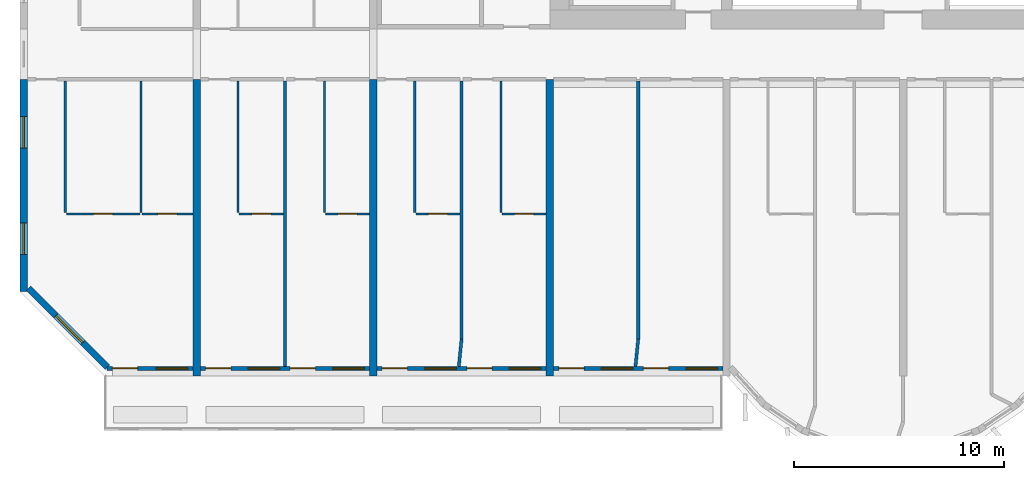
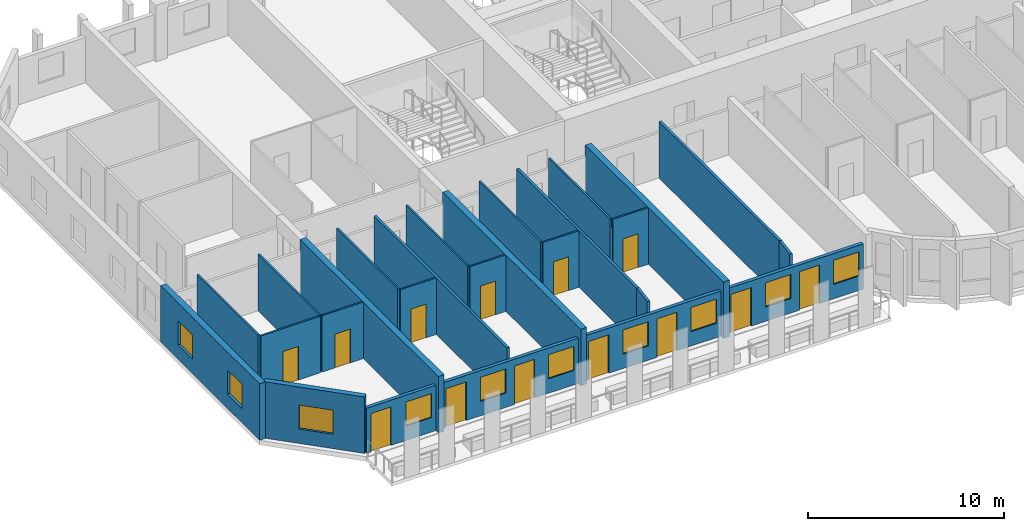
# One storey, part 2 of 14: 26 walls, 13 doors, 10 windows, 23 openings.
"""IFC4 building model written with IfcOpenShell, lengths in metres."""

import ifcopenshell
import ifcopenshell.guid

model = None  # the IFC model being written
_history = None  # IfcOwnerHistory: only IFC2X3 demands one
_inside = {}  # id of a spatial element -> (the spatial element, [elements in it])
_under = {}  # id of a project, library or spatial element -> (it, [spatial elements below it])
_declared = {}  # id of a project -> (the project, [libraries it declares])
_typed = {}  # id of a type object -> (the type object, [elements of that type])
_made_of = {}  # id of a material, layer set ... -> (it, [elements and type objects made of it])


def new_model(schema):
    """Start an empty IFC model of exactly this schema.

    Asked for "IFC4X3", IfcOpenShell would pick the latest addendum, in which some entities
    have other attributes; the version numbers below select the first issue.
    IFC2X3 requires an IfcOwnerHistory on every rooted entity: one is made here for all.
    """
    global model, _history
    if schema == "IFC4X3":
        model = ifcopenshell.file(schema_version=(4, 3, 0, 0))
    else:
        model = ifcopenshell.file(schema=schema)
    _inside.clear()
    _under.clear()
    _declared.clear()
    _typed.clear()
    _made_of.clear()
    _history = None
    if model.schema == "IFC2X3":
        org = make("IfcOrganization", Name="unknown")
        user = make(
            "IfcPersonAndOrganization",
            ThePerson=make("IfcPerson", FamilyName="unknown"),
            TheOrganization=org,
        )
        app = make(
            "IfcApplication",
            ApplicationDeveloper=org,
            Version="unknown",
            ApplicationFullName="unknown",
            ApplicationIdentifier="unknown",
        )
        _history = make(
            "IfcOwnerHistory",
            OwningUser=user,
            OwningApplication=app,
            ChangeAction="ADDED",
            CreationDate=0,
        )
    return model


def make(cls, **values):
    """One entity of the class cls with the attributes given. An attribute that is None is left unset."""
    return model.create_entity(
        cls, **{name: value for name, value in values.items() if value is not None}
    )


def rooted(cls, **values):
    """An entity with a GlobalId (a new one), such as an element, a storey or a relation."""
    return make(cls, GlobalId=ifcopenshell.guid.new(), OwnerHistory=_history, **values)


def si_unit(unit_type, name, prefix=None):
    """IfcSIUnit, for example si_unit("LENGTHUNIT", "METRE", prefix="MILLI")."""
    return make("IfcSIUnit", UnitType=unit_type, Prefix=prefix, Name=name)


def assignment(units):
    """IfcUnitAssignment: the units of a project."""
    return None if units is None else make("IfcUnitAssignment", Units=units)


def point(xyz):
    """IfcCartesianPoint."""
    return None if xyz is None else make("IfcCartesianPoint", Coordinates=xyz)


def direction(xyz):
    """IfcDirection."""
    return None if xyz is None else make("IfcDirection", DirectionRatios=xyz)


def frame(location, z_axis=None, x_axis=None):
    """IfcAxis2Placement3D, a coordinate frame: its origin and axes. An axis left out is left unset."""
    return make(
        "IfcAxis2Placement3D",
        Location=point(location),
        Axis=direction(z_axis),
        RefDirection=direction(x_axis),
    )


def frame_2d(location, x_axis=None):
    """IfcAxis2Placement2D, a coordinate frame in the plane: its origin and x axis."""
    return make(
        "IfcAxis2Placement2D", Location=point(location), RefDirection=direction(x_axis)
    )


def origin():
    """The frame at (0, 0, 0) with its axes left unset."""
    return frame((0.0, 0.0, 0.0))


def place(relative_to, where):
    """IfcLocalPlacement: puts the frame where relative to a parent placement (None: the world)."""
    return make(
        "IfcLocalPlacement", PlacementRelTo=relative_to, RelativePlacement=where
    )


def context(
    kind, dimensions, precision=None, world=None, true_north=None, identifier=None
):
    """IfcGeometricRepresentationContext, for example the 3D "Model" context."""
    return make(
        "IfcGeometricRepresentationContext",
        ContextIdentifier=identifier,
        ContextType=kind,
        CoordinateSpaceDimension=dimensions,
        Precision=precision,
        WorldCoordinateSystem=world,
        TrueNorth=true_north,
    )


def subcontext(parent, identifier, kind, view, scale=None):
    """IfcGeometricRepresentationSubContext, for example "Body" below "Model"."""
    return make(
        "IfcGeometricRepresentationSubContext",
        ContextIdentifier=identifier,
        ContextType=kind,
        ParentContext=parent,
        TargetScale=scale,
        TargetView=view,
    )


def project(units=None, contexts=None):
    """IfcProject with its units and contexts."""
    return rooted(
        "IfcProject",
        Name="project",
        RepresentationContexts=contexts,
        UnitsInContext=assignment(units),
    )


def spatial(cls, under=None, at=None, **own):
    """A site, building, storey or space (cls), placed at a placement, below another one or the project."""
    s = rooted(cls, ObjectPlacement=at, **own)
    if under is not None:
        _under.setdefault(under.id(), (under, []))[1].append(s)
    return s


def profile(cls, at=None, kind="AREA", **sizes):
    """A parametric profile (cls). Its sizes go by their IFC names, for example OverallWidth=200.0."""
    return make(cls, ProfileType=kind, Position=at, **sizes)


def rectangle(**sizes):
    """IfcRectangleProfileDef."""
    return profile("IfcRectangleProfileDef", **sizes)


def extrude(swept, where, along, depth):
    """IfcExtrudedAreaSolid: the profile swept, set in the frame where, extruded along a direction by depth."""
    return make(
        "IfcExtrudedAreaSolid",
        SweptArea=swept,
        Position=where,
        ExtrudedDirection=direction(along),
        Depth=depth,
    )


def shape(context_of_items, identifier, shape_type, items):
    """IfcShapeRepresentation: the items that make up one representation, for example the "Body"."""
    return make(
        "IfcShapeRepresentation",
        ContextOfItems=context_of_items,
        RepresentationIdentifier=identifier,
        RepresentationType=shape_type,
        Items=items,
    )


def source(mapping_origin, context_of_items, identifier, shape_type, items):
    """IfcRepresentationMap: a shape defined once, which mapped items show again and again."""
    return make(
        "IfcRepresentationMap",
        MappingOrigin=mapping_origin,
        MappedRepresentation=shape(context_of_items, identifier, shape_type, items),
    )


def transform(
    local_origin,
    x_axis=None,
    y_axis=None,
    z_axis=None,
    scale=None,
    scale2=None,
    scale3=None,
    uniform=True,
):
    """IfcCartesianTransformationOperator3D, or its non-uniform kind. x_axis, y_axis, z_axis: its Axis1, 2, 3."""
    if uniform:
        return make(
            "IfcCartesianTransformationOperator3D",
            Axis1=direction(x_axis),
            Axis2=direction(y_axis),
            LocalOrigin=point(local_origin),
            Scale=scale,
            Axis3=direction(z_axis),
        )
    return make(
        "IfcCartesianTransformationOperator3DnonUniform",
        Axis1=direction(x_axis),
        Axis2=direction(y_axis),
        LocalOrigin=point(local_origin),
        Scale=scale,
        Axis3=direction(z_axis),
        Scale2=scale2,
        Scale3=scale3,
    )


def mapped(mapping_source, mapping_target):
    """IfcMappedItem: shows the shape of a source again, moved by a transform."""
    return make(
        "IfcMappedItem", MappingSource=mapping_source, MappingTarget=mapping_target
    )


def material(Name=None, Category=None):
    """IfcMaterial."""
    return make("IfcMaterial", Name=Name, Category=Category)


def layer(
    of_material, thickness, ventilated=None, Name=None, Category=None, Priority=None
):
    """IfcMaterialLayer: one layer of a wall or slab, of a material (None: an air gap)."""
    return make(
        "IfcMaterialLayer",
        Material=of_material,
        LayerThickness=thickness,
        IsVentilated=ventilated,
        Name=Name,
        Category=Category,
        Priority=Priority,
    )


def layer_set(layers, Name=None):
    """IfcMaterialLayerSet."""
    return make("IfcMaterialLayerSet", MaterialLayers=layers, LayerSetName=Name)


def made_of(thing, what):
    """Note that an element or type object is made of a material, layer set ...; save() writes the relation."""
    if what is not None:
        _made_of.setdefault(what.id(), (what, []))[1].append(thing)
    return thing


def type_object(cls, material=None, **own):
    """A type object (cls), such as IfcWallType, which elements share."""
    return made_of(rooted(cls, **own), material)


def element(
    cls,
    number,
    at=None,
    inside=None,
    cuts=None,
    type_object=None,
    material=None,
    context=None,
    identifier="Body",
    shape_type=None,
    held_by="IfcProductDefinitionShape",
    body=None,
    shapes=None,
    **own,
):
    """One element of the class cls, such as IfcWall. Its Tag is "e" and its number.

    at: its placement. inside: the storey or other place that contains it. cuts: it is an
    opening in that element (IfcRelVoidsElement). A single representation is given by context,
    identifier, shape_type and body (its items); several are given by shapes. held_by: the class
    of the entity that holds the representations. save() writes the other relations.
    """
    e = rooted(cls, Tag="e%d" % number, ObjectPlacement=at, **own)
    if body is not None:
        shapes = [shape(context, identifier, shape_type, body)]
    if shapes is not None:
        e.Representation = make(held_by, Representations=shapes)
    if inside is not None:
        _inside.setdefault(inside.id(), (inside, []))[1].append(e)
    if cuts is not None:
        rooted(
            "IfcRelVoidsElement", RelatingBuildingElement=cuts, RelatedOpeningElement=e
        )
    if type_object is not None:
        _typed.setdefault(type_object.id(), (type_object, []))[1].append(e)
    return made_of(e, material)


def fill(opening, filler):
    """IfcRelFillsElement: the door or window that sits in an opening."""
    return rooted(
        "IfcRelFillsElement",
        RelatingOpeningElement=opening,
        RelatedBuildingElement=filler,
    )


def aggregate(whole, parts):
    """IfcRelAggregates: a whole, such as a stair, and the parts it consists of."""
    return rooted("IfcRelAggregates", RelatingObject=whole, RelatedObjects=parts)


def save(model, path):
    """Write the relations noted so far, then the file.

    IfcRelAggregates (storeys below a building ...), IfcRelContainedInSpatialStructure (elements
    in a storey), IfcRelDefinesByType, IfcRelAssociatesMaterial and IfcRelDeclares: one each for
    every whole, place, type object, material and project.
    """
    for whole, parts in _under.values():
        aggregate(whole, parts)
    for where, things in _inside.values():
        rooted(
            "IfcRelContainedInSpatialStructure",
            RelatedElements=things,
            RelatingStructure=where,
        )
    for kind, things in _typed.values():
        rooted("IfcRelDefinesByType", RelatedObjects=things, RelatingType=kind)
    for what, things in _made_of.values():
        rooted("IfcRelAssociatesMaterial", RelatedObjects=things, RelatingMaterial=what)
    for by, libraries in _declared.values():
        rooted("IfcRelDeclares", RelatingContext=by, RelatedDefinitions=libraries)
    model.write(path)


model = new_model("IFC4")

# Units and contexts
model_context = context("Model", 3, precision=1e-05, world=origin(), true_north=direction((0.0, 1.0)))
body_context = subcontext(model_context, "Body", "Model", "MODEL_VIEW")
ifc_project = project(units=[si_unit("LENGTHUNIT", "METRE"), si_unit("AREAUNIT", "SQUARE_METRE"), si_unit("VOLUMEUNIT", "CUBIC_METRE"), si_unit("PLANEANGLEUNIT", "RADIAN"), si_unit("MASSUNIT", "GRAM", prefix="KILO")], contexts=[model_context])

# Site, building, storey
site_placement = place(None, origin())
site = spatial("IfcSite", under=ifc_project, at=site_placement, CompositionType="ELEMENT")
building_placement = place(site_placement, origin())
building = spatial("IfcBuilding", under=site, at=building_placement, Name="Vanashikhar Sky Hotel", CompositionType="ELEMENT")
storey_placement = place(building_placement, frame((0.0, 0.0, 125.60009765625)))
storey = spatial("IfcBuildingStorey", under=building, at=storey_placement, Name="L30", CompositionType="ELEMENT", Elevation=125.60009765625)

# Wall, openings, windows
ifc_material_1 = material(Name="Concrete M70", Category="concrete")
ifc_layer_1 = layer(ifc_material_1, 0.35009765625)
ifc_layer_set_1 = layer_set([ifc_layer_1], Name="RC shear wall 350 Concrete M70")
wall_type_1 = type_object("IfcWallType", Name="RC shear wall 350 Concrete M70", PredefinedType="SHEAR", material=ifc_layer_set_1)
shared_shape_1 = source(origin(), body_context, "Body", "SweptSolid", [
    extrude(rectangle(XDim=10.10009765625, YDim=0.35009765625, at=frame_2d((5.050048828125, 0.0))), origin(), (0.0, 0.0, 1.0), 3.52001953125),
])
wall_1_placement = place(storey_placement, frame((0.175048828125, 9.5, 0.0), z_axis=(0.0, 0.0, 1.0), x_axis=(0.0, 1.0, 0.0)))
wall_1 = element("IfcWall", 1, at=wall_1_placement, inside=storey, type_object=wall_type_1, Name="CW-L30-XW01-1", PredefinedType="SHEAR", context=body_context, shape_type="MappedRepresentation", body=[
    mapped(shared_shape_1, transform((0.0, 0.0, 0.0), scale=1.0)),
])
shared_shape_2 = source(origin(), body_context, "Body", "SweptSolid", [
    extrude(rectangle(XDim=1.5, YDim=1.5, at=frame_2d((0.75, 0.75))), frame((0.0, 0.18505859375, 0.0), z_axis=(0.0, -1.0, 0.0), x_axis=(1.0, 0.0, 0.0)), (0.0, 0.0, 1.0), 0.3701171875),
])
opening_1_placement = place(wall_1_placement, frame((1.77490234375, 0.0, 0.89990234375)))
opening_1 = element("IfcOpeningElement", 2, at=opening_1_placement, cuts=wall_1, Name="Opening WN-1", PredefinedType="OPENING", context=body_context, shape_type="MappedRepresentation", body=[
    mapped(shared_shape_2, transform((0.0, 0.0, 0.0), scale=1.0)),
])
opening_2_placement = place(wall_1_placement, frame((6.824951171875, 0.0, 0.89990234375)))
opening_2 = element("IfcOpeningElement", 3, at=opening_2_placement, cuts=wall_1, Name="Opening WN-1", PredefinedType="OPENING", context=body_context, shape_type="MappedRepresentation", body=[
    mapped(shared_shape_2, transform((0.0, 0.0, 0.0), scale=1.0)),
])
ifc_material_2 = material(Name="Glass", Category="glass")
window_type_1 = type_object("IfcWindowType", Name="Window 1500 x 1500", PartitioningType="SINGLE_PANEL", PredefinedType="WINDOW", material=ifc_material_2)
shared_shape_3 = source(origin(), body_context, "Body", "SweptSolid", [
    extrude(rectangle(XDim=1.5, YDim=1.5, at=frame_2d((0.75, 0.75))), frame((0.0, 0.030029296875, 0.0), z_axis=(0.0, -1.0, 0.0), x_axis=(1.0, 0.0, 0.0)), (0.0, 0.0, 1.0), 0.06005859375),
])
window_1_placement = place(opening_1_placement, origin())
window_1 = element("IfcWindow", 4, at=window_1_placement, inside=storey, type_object=window_type_1, Name="Window WN-1", OverallHeight=1.5, OverallWidth=1.5, PartitioningType="SINGLE_PANEL", PredefinedType="WINDOW", context=body_context, shape_type="MappedRepresentation", body=[
    mapped(shared_shape_3, transform((0.0, 0.0, 0.0), scale=1.0)),
])
fill(opening_1, window_1)
window_2_placement = place(opening_2_placement, origin())
window_2 = element("IfcWindow", 5, at=window_2_placement, inside=storey, type_object=window_type_1, Name="Window WN-1", OverallHeight=1.5, OverallWidth=1.5, PartitioningType="SINGLE_PANEL", PredefinedType="WINDOW", context=body_context, shape_type="MappedRepresentation", body=[
    mapped(shared_shape_3, transform((0.0, 0.0, 0.0), scale=1.0)),
])
fill(opening_2, window_2)

# Walls
shared_shape_4 = source(origin(), body_context, "Body", "SweptSolid", [
    extrude(rectangle(XDim=14.10009765625, YDim=0.35009765625, at=frame_2d((7.050048828125, 0.0))), origin(), (0.0, 0.0, 1.0), 3.52001953125),
])
for number, where, z_axis, x_axis, name in (
    (6, (8.39990234375, 5.5, 0.0), (0.0, 0.0, 1.0), (0.0, 1.0, 0.0), "CW-L30-XW02-1"),
    (7, (16.800048828125, 5.5, 0.0), (0.0, 0.0, 1.0), (0.0, 1.0, 0.0), "CW-L30-XW03-1"),
    (8, (25.199951171875, 5.5, 0.0), (0.0, 0.0, 1.0), (0.0, 1.0, 0.0), "CW-L30-XW04-1"),
):
    element("IfcWall", number, at=place(storey_placement, frame(where, z_axis=z_axis, x_axis=x_axis)), inside=storey, type_object=wall_type_1, Name=name, PredefinedType="SHEAR", context=body_context, shape_type="MappedRepresentation", body=[
        mapped(shared_shape_4, transform((0.0, 0.0, 0.0), scale=1.0)),
    ])

# Wall, opening, window
ifc_material_3 = material(Name="Concrete M50", Category="concrete")
ifc_layer_2 = layer(ifc_material_3, 0.300048828125)
ifc_layer_set_2 = layer_set([ifc_layer_2], Name="Lobe wall 300")
wall_type_2 = type_object("IfcWallType", Name="Lobe wall 300", PredefinedType="SOLIDWALL", material=ifc_layer_set_2)
shared_shape_5 = source(origin(), body_context, "Body", "SweptSolid", [
    extrude(rectangle(XDim=5.32568359375, YDim=0.300048828125, at=frame_2d((2.662841796875, 0.0))), origin(), (0.0, 0.0, 1.0), 3.52001953125),
])
wall_2_placement = place(storey_placement, frame((0.39990234375, 9.665771484375, 0.0), z_axis=(0.0, 0.0, 1.0), x_axis=(0.707106781187, -0.707106781187, 0.0)))
wall_2 = element("IfcWall", 9, at=wall_2_placement, inside=storey, type_object=wall_type_2, Name="Corner wall", PredefinedType="SOLIDWALL", context=body_context, shape_type="MappedRepresentation", body=[
    mapped(shared_shape_5, transform((0.0, 0.0, 0.0), scale=1.0)),
])
shared_shape_6 = source(origin(), body_context, "Body", "SweptSolid", [
    extrude(rectangle(XDim=1.800048828125, YDim=1.5, at=frame_2d((0.89990234375, 0.75))), frame((0.0, 0.16015625, 0.0), z_axis=(0.0, -1.0, 0.0), x_axis=(1.0, 0.0, 0.0)), (0.0, 0.0, 1.0), 0.320068359375),
])
opening_3_placement = place(wall_2_placement, frame((1.853759765625, 0.0, 0.89990234375)))
opening_3 = element("IfcOpeningElement", 10, at=opening_3_placement, cuts=wall_2, Name="Opening WN-4", PredefinedType="OPENING", context=body_context, shape_type="MappedRepresentation", body=[
    mapped(shared_shape_6, transform((0.0, 0.0, 0.0), scale=1.0)),
])
window_type_2 = type_object("IfcWindowType", Name="Corner window 1800 x 1500", PartitioningType="SINGLE_PANEL", PredefinedType="WINDOW", material=ifc_material_2)
shared_shape_7 = source(origin(), body_context, "Body", "SweptSolid", [
    extrude(rectangle(XDim=1.800048828125, YDim=1.5, at=frame_2d((0.89990234375, 0.75))), frame((0.0, 0.030029296875, 0.0), z_axis=(0.0, -1.0, 0.0), x_axis=(1.0, 0.0, 0.0)), (0.0, 0.0, 1.0), 0.06005859375),
])
window_3_placement = place(opening_3_placement, origin())
window_3 = element("IfcWindow", 11, at=window_3_placement, inside=storey, type_object=window_type_2, Name="Window WN-4", OverallHeight=1.5, OverallWidth=1.800048828125, PartitioningType="SINGLE_PANEL", PredefinedType="WINDOW", context=body_context, shape_type="MappedRepresentation", body=[
    mapped(shared_shape_7, transform((0.0, 0.0, 0.0), scale=1.0)),
])
fill(opening_3, window_3)

# Wall, openings, window, door
ifc_layer_3 = layer(ifc_material_3, 0.199951171875)
ifc_layer_set_3 = layer_set([ifc_layer_3], Name="Front window wall 200")
wall_type_3 = type_object("IfcWallType", Name="Front window wall 200", PredefinedType="SOLIDWALL", material=ifc_layer_set_3)
shared_shape_8 = source(origin(), body_context, "Body", "SweptSolid", [
    extrude(rectangle(XDim=4.080078125, YDim=0.199951171875, at=frame_2d((2.0400390625, 0.0))), origin(), (0.0, 0.0, 1.0), 2.81982421875),
])
wall_3_placement = place(storey_placement, frame((4.14501953125, 5.85009765625, 0.0), z_axis=(0.0, 0.0, 1.0), x_axis=(1.0, 0.0, 0.0)))
wall_3 = element("IfcWall", 12, at=wall_3_placement, inside=storey, type_object=wall_type_3, Name="Front window wall", PredefinedType="SOLIDWALL", context=body_context, shape_type="MappedRepresentation", body=[
    mapped(shared_shape_8, transform((0.0, 0.0, 0.0), scale=1.0)),
])
shared_shape_9 = source(origin(), body_context, "Body", "SweptSolid", [
    extrude(rectangle(XDim=1.199951171875, YDim=2.39990234375, at=frame_2d((0.60009765625, 1.199951171875))), frame((0.0, 0.10986328125, 0.0), z_axis=(0.0, -1.0, 0.0), x_axis=(1.0, 0.0, 0.0)), (0.0, 0.0, 1.0), 0.219970703125),
])
opening_4_placement = place(wall_3_placement, frame((0.25, 0.0, 0.0)))
opening_4 = element("IfcOpeningElement", 13, at=opening_4_placement, cuts=wall_3, Name="Opening BD-01", PredefinedType="OPENING", context=body_context, shape_type="MappedRepresentation", body=[
    mapped(shared_shape_9, transform((0.0, 0.0, 0.0), scale=1.0)),
])
shared_shape_10 = source(origin(), body_context, "Body", "SweptSolid", [
    extrude(rectangle(XDim=1.5, YDim=1.5, at=frame_2d((0.75, 0.75))), frame((0.0, 0.10986328125, 0.0), z_axis=(0.0, -1.0, 0.0), x_axis=(1.0, 0.0, 0.0)), (0.0, 0.0, 1.0), 0.219970703125),
])
opening_5_placement = place(wall_3_placement, frame((2.330078125, 0.0, 0.89990234375)))
opening_5 = element("IfcOpeningElement", 14, at=opening_5_placement, cuts=wall_3, Name="Opening WN-1", PredefinedType="OPENING", context=body_context, shape_type="MappedRepresentation", body=[
    mapped(shared_shape_10, transform((0.0, 0.0, 0.0), scale=1.0)),
])
window_4_placement = place(opening_5_placement, origin())
window_4 = element("IfcWindow", 15, at=window_4_placement, inside=storey, type_object=window_type_1, Name="Window WN-1", OverallHeight=1.5, OverallWidth=1.5, PartitioningType="SINGLE_PANEL", PredefinedType="WINDOW", context=body_context, shape_type="MappedRepresentation", body=[
    mapped(shared_shape_3, transform((0.0, 0.0, 0.0), scale=1.0)),
])
fill(opening_5, window_4)
ifc_material_4 = material(Name="Aluminium", Category="aluminium")
door_type_1 = type_object("IfcDoorType", Name="Balcony sliding door 1200 x 2400", OperationType="NOTDEFINED", PredefinedType="DOOR", material=ifc_material_4)
shared_shape_11 = source(origin(), body_context, "Body", "SweptSolid", [
    extrude(rectangle(XDim=1.199951171875, YDim=2.39990234375, at=frame_2d((0.60009765625, 1.199951171875))), frame((0.0, 0.02490234375, 0.0), z_axis=(0.0, -1.0, 0.0), x_axis=(1.0, 0.0, 0.0)), (0.0, 0.0, 1.0), 0.050048828125),
])
door_1_placement = place(opening_4_placement, origin())
door_1 = element("IfcDoor", 16, at=door_1_placement, inside=storey, type_object=door_type_1, Name="Balcony sliding door", OperationType="SLIDING_TO_LEFT", OverallHeight=2.39990234375, OverallWidth=1.199951171875, PredefinedType="DOOR", context=body_context, shape_type="MappedRepresentation", body=[
    mapped(shared_shape_11, transform((0.0, 0.0, 0.0), scale=1.0)),
])
fill(opening_4, door_1)

# Wall, openings, windows, doors
shared_shape_12 = source(origin(), body_context, "Body", "SweptSolid", [
    extrude(rectangle(XDim=8.050048828125, YDim=0.199951171875, at=frame_2d((4.02490234375, 0.0))), origin(), (0.0, 0.0, 1.0), 2.81982421875),
])
wall_4_placement = place(storey_placement, frame((8.574951171875, 5.85009765625, 0.0), z_axis=(0.0, 0.0, 1.0), x_axis=(1.0, 0.0, 0.0)))
wall_4 = element("IfcWall", 17, at=wall_4_placement, inside=storey, type_object=wall_type_3, Name="Front window wall", PredefinedType="SOLIDWALL", context=body_context, shape_type="MappedRepresentation", body=[
    mapped(shared_shape_12, transform((0.0, 0.0, 0.0), scale=1.0)),
])
opening_6_placement = place(wall_4_placement, frame((0.25, 0.0, 0.0)))
opening_6 = element("IfcOpeningElement", 18, at=opening_6_placement, cuts=wall_4, Name="Opening BD-02", PredefinedType="OPENING", context=body_context, shape_type="MappedRepresentation", body=[
    mapped(shared_shape_9, transform((0.0, 0.0, 0.0), scale=1.0)),
])
opening_7_placement = place(wall_4_placement, frame((2.27490234375, 0.0, 0.89990234375)))
opening_7 = element("IfcOpeningElement", 19, at=opening_7_placement, cuts=wall_4, Name="Opening WN-1", PredefinedType="OPENING", context=body_context, shape_type="MappedRepresentation", body=[
    mapped(shared_shape_10, transform((0.0, 0.0, 0.0), scale=1.0)),
])
opening_8_placement = place(wall_4_placement, frame((4.27490234375, 0.0, 0.0)))
opening_8 = element("IfcOpeningElement", 20, at=opening_8_placement, cuts=wall_4, Name="Opening BD-03", PredefinedType="OPENING", context=body_context, shape_type="MappedRepresentation", body=[
    mapped(shared_shape_9, transform((0.0, 0.0, 0.0), scale=1.0)),
])
opening_9_placement = place(wall_4_placement, frame((6.300048828125, 0.0, 0.89990234375)))
opening_9 = element("IfcOpeningElement", 21, at=opening_9_placement, cuts=wall_4, Name="Opening WN-1", PredefinedType="OPENING", context=body_context, shape_type="MappedRepresentation", body=[
    mapped(shared_shape_10, transform((0.0, 0.0, 0.0), scale=1.0)),
])
window_5_placement = place(opening_7_placement, origin())
window_5 = element("IfcWindow", 22, at=window_5_placement, inside=storey, type_object=window_type_1, Name="Window WN-1", OverallHeight=1.5, OverallWidth=1.5, PartitioningType="SINGLE_PANEL", PredefinedType="WINDOW", context=body_context, shape_type="MappedRepresentation", body=[
    mapped(shared_shape_3, transform((0.0, 0.0, 0.0), scale=1.0)),
])
fill(opening_7, window_5)
window_6_placement = place(opening_9_placement, origin())
window_6 = element("IfcWindow", 23, at=window_6_placement, inside=storey, type_object=window_type_1, Name="Window WN-1", OverallHeight=1.5, OverallWidth=1.5, PartitioningType="SINGLE_PANEL", PredefinedType="WINDOW", context=body_context, shape_type="MappedRepresentation", body=[
    mapped(shared_shape_3, transform((0.0, 0.0, 0.0), scale=1.0)),
])
fill(opening_9, window_6)
door_2_placement = place(opening_6_placement, origin())
door_2 = element("IfcDoor", 24, at=door_2_placement, inside=storey, type_object=door_type_1, Name="Balcony sliding door", OperationType="SLIDING_TO_RIGHT", OverallHeight=2.39990234375, OverallWidth=1.199951171875, PredefinedType="DOOR", context=body_context, shape_type="MappedRepresentation", body=[
    mapped(shared_shape_11, transform((0.0, 0.0, 0.0), scale=1.0)),
])
fill(opening_6, door_2)
door_3_placement = place(opening_8_placement, origin())
door_3 = element("IfcDoor", 25, at=door_3_placement, inside=storey, type_object=door_type_1, Name="Balcony sliding door", OperationType="SLIDING_TO_LEFT", OverallHeight=2.39990234375, OverallWidth=1.199951171875, PredefinedType="DOOR", context=body_context, shape_type="MappedRepresentation", body=[
    mapped(shared_shape_11, transform((0.0, 0.0, 0.0), scale=1.0)),
])
fill(opening_8, door_3)

wall_5_placement = place(storey_placement, frame((25.375, 5.85009765625, 0.0), z_axis=(0.0, 0.0, 1.0), x_axis=(1.0, 0.0, 0.0)))
wall_5 = element("IfcWall", 26, at=wall_5_placement, inside=storey, type_object=wall_type_3, Name="Front window wall", PredefinedType="SOLIDWALL", context=body_context, shape_type="MappedRepresentation", body=[
    mapped(shared_shape_12, transform((0.0, 0.0, 0.0), scale=1.0)),
])
opening_10_placement = place(wall_5_placement, frame((0.25, 0.0, 0.0)))
opening_10 = element("IfcOpeningElement", 27, at=opening_10_placement, cuts=wall_5, Name="Opening BD-06", PredefinedType="OPENING", context=body_context, shape_type="MappedRepresentation", body=[
    mapped(shared_shape_9, transform((0.0, 0.0, 0.0), scale=1.0)),
])
opening_11_placement = place(wall_5_placement, frame((2.27490234375, 0.0, 0.89990234375)))
opening_11 = element("IfcOpeningElement", 28, at=opening_11_placement, cuts=wall_5, Name="Opening WN-1", PredefinedType="OPENING", context=body_context, shape_type="MappedRepresentation", body=[
    mapped(shared_shape_10, transform((0.0, 0.0, 0.0), scale=1.0)),
])
opening_12_placement = place(wall_5_placement, frame((4.27490234375, 0.0, 0.0)))
opening_12 = element("IfcOpeningElement", 29, at=opening_12_placement, cuts=wall_5, Name="Opening BD-07", PredefinedType="OPENING", context=body_context, shape_type="MappedRepresentation", body=[
    mapped(shared_shape_9, transform((0.0, 0.0, 0.0), scale=1.0)),
])
opening_13_placement = place(wall_5_placement, frame((6.300048828125, 0.0, 0.89990234375)))
opening_13 = element("IfcOpeningElement", 30, at=opening_13_placement, cuts=wall_5, Name="Opening WN-1", PredefinedType="OPENING", context=body_context, shape_type="MappedRepresentation", body=[
    mapped(shared_shape_10, transform((0.0, 0.0, 0.0), scale=1.0)),
])
window_7_placement = place(opening_11_placement, origin())
window_7 = element("IfcWindow", 31, at=window_7_placement, inside=storey, type_object=window_type_1, Name="Window WN-1", OverallHeight=1.5, OverallWidth=1.5, PartitioningType="SINGLE_PANEL", PredefinedType="WINDOW", context=body_context, shape_type="MappedRepresentation", body=[
    mapped(shared_shape_3, transform((0.0, 0.0, 0.0), scale=1.0)),
])
fill(opening_11, window_7)
window_8_placement = place(opening_13_placement, origin())
window_8 = element("IfcWindow", 32, at=window_8_placement, inside=storey, type_object=window_type_1, Name="Window WN-1", OverallHeight=1.5, OverallWidth=1.5, PartitioningType="SINGLE_PANEL", PredefinedType="WINDOW", context=body_context, shape_type="MappedRepresentation", body=[
    mapped(shared_shape_3, transform((0.0, 0.0, 0.0), scale=1.0)),
])
fill(opening_13, window_8)
door_4_placement = place(opening_10_placement, origin())
door_4 = element("IfcDoor", 33, at=door_4_placement, inside=storey, type_object=door_type_1, Name="Balcony sliding door", OperationType="SLIDING_TO_RIGHT", OverallHeight=2.39990234375, OverallWidth=1.199951171875, PredefinedType="DOOR", context=body_context, shape_type="MappedRepresentation", body=[
    mapped(shared_shape_11, transform((0.0, 0.0, 0.0), scale=1.0)),
])
fill(opening_10, door_4)
door_5_placement = place(opening_12_placement, origin())
door_5 = element("IfcDoor", 34, at=door_5_placement, inside=storey, type_object=door_type_1, Name="Balcony sliding door", OperationType="SLIDING_TO_LEFT", OverallHeight=2.39990234375, OverallWidth=1.199951171875, PredefinedType="DOOR", context=body_context, shape_type="MappedRepresentation", body=[
    mapped(shared_shape_11, transform((0.0, 0.0, 0.0), scale=1.0)),
])
fill(opening_12, door_5)

shared_shape_13 = source(origin(), body_context, "Body", "SweptSolid", [
    extrude(rectangle(XDim=8.0498046875, YDim=0.199951171875, at=frame_2d((4.02490234375, 0.0))), origin(), (0.0, 0.0, 1.0), 2.81982421875),
])
wall_6_placement = place(storey_placement, frame((16.97509765625, 5.85009765625, 0.0), z_axis=(0.0, 0.0, 1.0), x_axis=(1.0, 0.0, 0.0)))
wall_6 = element("IfcWall", 35, at=wall_6_placement, inside=storey, type_object=wall_type_3, Name="Front window wall", PredefinedType="SOLIDWALL", context=body_context, shape_type="MappedRepresentation", body=[
    mapped(shared_shape_13, transform((0.0, 0.0, 0.0), scale=1.0)),
])
opening_14_placement = place(wall_6_placement, frame((0.25, 0.0, 0.0)))
opening_14 = element("IfcOpeningElement", 36, at=opening_14_placement, cuts=wall_6, Name="Opening BD-04", PredefinedType="OPENING", context=body_context, shape_type="MappedRepresentation", body=[
    mapped(shared_shape_9, transform((0.0, 0.0, 0.0), scale=1.0)),
])
opening_15_placement = place(wall_6_placement, frame((2.27490234375, 0.0, 0.89990234375)))
opening_15 = element("IfcOpeningElement", 37, at=opening_15_placement, cuts=wall_6, Name="Opening WN-1", PredefinedType="OPENING", context=body_context, shape_type="MappedRepresentation", body=[
    mapped(shared_shape_10, transform((0.0, 0.0, 0.0), scale=1.0)),
])
opening_16_placement = place(wall_6_placement, frame((4.27490234375, 0.0, 0.0)))
opening_16 = element("IfcOpeningElement", 38, at=opening_16_placement, cuts=wall_6, Name="Opening BD-05", PredefinedType="OPENING", context=body_context, shape_type="MappedRepresentation", body=[
    mapped(shared_shape_9, transform((0.0, 0.0, 0.0), scale=1.0)),
])
opening_17_placement = place(wall_6_placement, frame((6.300048828125, 0.0, 0.89990234375)))
opening_17 = element("IfcOpeningElement", 39, at=opening_17_placement, cuts=wall_6, Name="Opening WN-1", PredefinedType="OPENING", context=body_context, shape_type="MappedRepresentation", body=[
    mapped(shared_shape_10, transform((0.0, 0.0, 0.0), scale=1.0)),
])
window_9_placement = place(opening_15_placement, origin())
window_9 = element("IfcWindow", 40, at=window_9_placement, inside=storey, type_object=window_type_1, Name="Window WN-1", OverallHeight=1.5, OverallWidth=1.5, PartitioningType="SINGLE_PANEL", PredefinedType="WINDOW", context=body_context, shape_type="MappedRepresentation", body=[
    mapped(shared_shape_3, transform((0.0, 0.0, 0.0), scale=1.0)),
])
fill(opening_15, window_9)
window_10_placement = place(opening_17_placement, origin())
window_10 = element("IfcWindow", 41, at=window_10_placement, inside=storey, type_object=window_type_1, Name="Window WN-1", OverallHeight=1.5, OverallWidth=1.5, PartitioningType="SINGLE_PANEL", PredefinedType="WINDOW", context=body_context, shape_type="MappedRepresentation", body=[
    mapped(shared_shape_3, transform((0.0, 0.0, 0.0), scale=1.0)),
])
fill(opening_17, window_10)
door_6_placement = place(opening_14_placement, origin())
door_6 = element("IfcDoor", 42, at=door_6_placement, inside=storey, type_object=door_type_1, Name="Balcony sliding door", OperationType="SLIDING_TO_RIGHT", OverallHeight=2.39990234375, OverallWidth=1.199951171875, PredefinedType="DOOR", context=body_context, shape_type="MappedRepresentation", body=[
    mapped(shared_shape_11, transform((0.0, 0.0, 0.0), scale=1.0)),
])
fill(opening_14, door_6)
door_7_placement = place(opening_16_placement, origin())
door_7 = element("IfcDoor", 43, at=door_7_placement, inside=storey, type_object=door_type_1, Name="Balcony sliding door", OperationType="SLIDING_TO_LEFT", OverallHeight=2.39990234375, OverallWidth=1.199951171875, PredefinedType="DOOR", context=body_context, shape_type="MappedRepresentation", body=[
    mapped(shared_shape_11, transform((0.0, 0.0, 0.0), scale=1.0)),
])
fill(opening_16, door_7)

# Wall, opening, door
ifc_material_5 = material(Name="Gypsum plasterboard partition")
ifc_layer_4 = layer(ifc_material_5, 0.10009765625)
ifc_layer_set_4 = layer_set([ifc_layer_4], Name="Wet room partition 100")
wall_type_4 = type_object("IfcWallType", Name="Wet room partition 100", PredefinedType="PARTITIONING", material=ifc_layer_set_4)
shared_shape_14 = source(origin(), body_context, "Body", "SweptSolid", [
    extrude(rectangle(XDim=3.5, YDim=0.10009765625, at=frame_2d((1.75, 0.0))), origin(), (0.0, 0.0, 1.0), 3.52001953125),
])
wall_7_placement = place(storey_placement, frame((2.199951171875, 13.199951171875, 0.0), z_axis=(0.0, 0.0, 1.0), x_axis=(1.0, 0.0, 0.0)))
wall_7 = element("IfcWall", 44, at=wall_7_placement, inside=storey, type_object=wall_type_4, Name="W-L30-PW003", PredefinedType="PARTITIONING", context=body_context, shape_type="MappedRepresentation", body=[
    mapped(shared_shape_14, transform((0.0, 0.0, 0.0), scale=1.0)),
])
shared_shape_15 = source(origin(), body_context, "Body", "SweptSolid", [
    extrude(rectangle(XDim=0.89990234375, YDim=2.10009765625, at=frame_2d((0.449951171875, 1.050048828125))), frame((0.0, 0.06005859375, 0.0), z_axis=(0.0, -1.0, 0.0), x_axis=(1.0, 0.0, 0.0)), (0.0, 0.0, 1.0), 0.1201171875),
])
opening_18_placement = place(wall_7_placement, frame((1.300048828125, 0.0, 0.0)))
opening_18 = element("IfcOpeningElement", 45, at=opening_18_placement, cuts=wall_7, Name="Opening D-02", PredefinedType="OPENING", context=body_context, shape_type="MappedRepresentation", body=[
    mapped(shared_shape_15, transform((0.0, 0.0, 0.0), scale=1.0)),
])
ifc_material_6 = material(Name="Timber door", Category="wood")
door_type_2 = type_object("IfcDoorType", Name="Internal door 900", OperationType="NOTDEFINED", PredefinedType="DOOR", material=ifc_material_6)
shared_shape_16 = source(origin(), body_context, "Body", "SweptSolid", [
    extrude(rectangle(XDim=0.89990234375, YDim=2.10009765625, at=frame_2d((0.449951171875, 1.050048828125))), frame((0.0, 0.02490234375, 0.0), z_axis=(0.0, -1.0, 0.0), x_axis=(1.0, 0.0, 0.0)), (0.0, 0.0, 1.0), 0.050048828125),
])
door_8_placement = place(opening_18_placement, origin())
door_8 = element("IfcDoor", 46, at=door_8_placement, inside=storey, type_object=door_type_2, Name="D-L30-001", OperationType="SINGLE_SWING_LEFT", OverallHeight=2.10009765625, OverallWidth=0.89990234375, PredefinedType="DOOR", context=body_context, shape_type="MappedRepresentation", body=[
    mapped(shared_shape_16, transform((0.0, 0.0, 0.0), scale=1.0)),
])
fill(opening_18, door_8)

# Walls
shared_shape_17 = source(origin(), body_context, "Body", "SweptSolid", [
    extrude(rectangle(XDim=6.25, YDim=0.10009765625, at=frame_2d((3.125, 0.0))), origin(), (0.0, 0.0, 1.0), 3.52001953125),
])
for number, where, z_axis, x_axis, name in (
    (47, (2.14990234375, 13.27490234375, 0.0), (0.0, 0.0, 1.0), (0.0, 1.0, 0.0), "W-L30-PW001"),
    (48, (5.75, 13.27490234375, 0.0), (0.0, 0.0, 1.0), (0.0, 1.0, 0.0), "W-L30-PW002"),
    (49, (10.375, 13.27490234375, 0.0), (0.0, 0.0, 1.0), (0.0, 1.0, 0.0), "W-L30-PW006"),
    (50, (14.47509765625, 13.27490234375, 0.0), (0.0, 0.0, 1.0), (0.0, 1.0, 0.0), "W-L30-PW009"),
    (51, (18.77490234375, 13.27490234375, 0.0), (0.0, 0.0, 1.0), (0.0, 1.0, 0.0), "W-L30-PW013"),
    (52, (22.875, 13.27490234375, 0.0), (0.0, 0.0, 1.0), (0.0, 1.0, 0.0), "W-L30-PW016"),
):
    element("IfcWall", number, at=place(storey_placement, frame(where, z_axis=z_axis, x_axis=x_axis)), inside=storey, type_object=wall_type_4, Name=name, PredefinedType="PARTITIONING", context=body_context, shape_type="MappedRepresentation", body=[
        mapped(shared_shape_17, transform((0.0, 0.0, 0.0), scale=1.0)),
    ])

# Wall, opening, door
shared_shape_18 = source(origin(), body_context, "Body", "SweptSolid", [
    extrude(rectangle(XDim=2.10009765625, YDim=0.10009765625, at=frame_2d((1.050048828125, 0.0))), origin(), (0.0, 0.0, 1.0), 3.52001953125),
])
wall_8_placement = place(storey_placement, frame((14.52490234375, 13.199951171875, 0.0), z_axis=(0.0, 0.0, 1.0), x_axis=(1.0, 0.0, 0.0)))
wall_8 = element("IfcWall", 53, at=wall_8_placement, inside=storey, type_object=wall_type_4, Name="W-L30-PW010", PredefinedType="PARTITIONING", context=body_context, shape_type="MappedRepresentation", body=[
    mapped(shared_shape_18, transform((0.0, 0.0, 0.0), scale=1.0)),
])
opening_19_placement = place(wall_8_placement, frame((0.60009765625, 0.0, 0.0)))
opening_19 = element("IfcOpeningElement", 54, at=opening_19_placement, cuts=wall_8, Name="Opening D-02", PredefinedType="OPENING", context=body_context, shape_type="MappedRepresentation", body=[
    mapped(shared_shape_15, transform((0.0, 0.0, 0.0), scale=1.0)),
])
door_9_placement = place(opening_19_placement, origin())
door_9 = element("IfcDoor", 55, at=door_9_placement, inside=storey, type_object=door_type_2, Name="D-L30-006", OperationType="SINGLE_SWING_LEFT", OverallHeight=2.10009765625, OverallWidth=0.89990234375, PredefinedType="DOOR", context=body_context, shape_type="MappedRepresentation", body=[
    mapped(shared_shape_16, transform((0.0, 0.0, 0.0), scale=1.0)),
])
fill(opening_19, door_9)

wall_9_placement = place(storey_placement, frame((18.824951171875, 13.199951171875, 0.0), z_axis=(0.0, 0.0, 1.0), x_axis=(1.0, 0.0, 0.0)))
wall_9 = element("IfcWall", 56, at=wall_9_placement, inside=storey, type_object=wall_type_4, Name="W-L30-PW014", PredefinedType="PARTITIONING", context=body_context, shape_type="MappedRepresentation", body=[
    mapped(shared_shape_18, transform((0.0, 0.0, 0.0), scale=1.0)),
])
opening_20_placement = place(wall_9_placement, frame((0.60009765625, 0.0, 0.0)))
opening_20 = element("IfcOpeningElement", 57, at=opening_20_placement, cuts=wall_9, Name="Opening D-02", PredefinedType="OPENING", context=body_context, shape_type="MappedRepresentation", body=[
    mapped(shared_shape_15, transform((0.0, 0.0, 0.0), scale=1.0)),
])
door_10_placement = place(opening_20_placement, origin())
door_10 = element("IfcDoor", 58, at=door_10_placement, inside=storey, type_object=door_type_2, Name="D-L30-008", OperationType="SINGLE_SWING_LEFT", OverallHeight=2.10009765625, OverallWidth=0.89990234375, PredefinedType="DOOR", context=body_context, shape_type="MappedRepresentation", body=[
    mapped(shared_shape_16, transform((0.0, 0.0, 0.0), scale=1.0)),
])
fill(opening_20, door_10)

shared_shape_19 = source(origin(), body_context, "Body", "SweptSolid", [
    extrude(rectangle(XDim=2.099853515625, YDim=0.10009765625, at=frame_2d((1.0498046875, 0.0))), origin(), (0.0, 0.0, 1.0), 3.52001953125),
])
wall_10_placement = place(storey_placement, frame((10.425048828125, 13.199951171875, 0.0), z_axis=(0.0, 0.0, 1.0), x_axis=(1.0, 0.0, 0.0)))
wall_10 = element("IfcWall", 59, at=wall_10_placement, inside=storey, type_object=wall_type_4, Name="W-L30-PW007", PredefinedType="PARTITIONING", context=body_context, shape_type="MappedRepresentation", body=[
    mapped(shared_shape_19, transform((0.0, 0.0, 0.0), scale=1.0)),
])
opening_21_placement = place(wall_10_placement, frame((0.60009765625, 0.0, 0.0)))
opening_21 = element("IfcOpeningElement", 60, at=opening_21_placement, cuts=wall_10, Name="Opening D-02", PredefinedType="OPENING", context=body_context, shape_type="MappedRepresentation", body=[
    mapped(shared_shape_15, transform((0.0, 0.0, 0.0), scale=1.0)),
])
door_11_placement = place(opening_21_placement, origin())
door_11 = element("IfcDoor", 61, at=door_11_placement, inside=storey, type_object=door_type_2, Name="D-L30-004", OperationType="SINGLE_SWING_LEFT", OverallHeight=2.10009765625, OverallWidth=0.89990234375, PredefinedType="DOOR", context=body_context, shape_type="MappedRepresentation", body=[
    mapped(shared_shape_16, transform((0.0, 0.0, 0.0), scale=1.0)),
])
fill(opening_21, door_11)

wall_11_placement = place(storey_placement, frame((22.925048828125, 13.199951171875, 0.0), z_axis=(0.0, 0.0, 1.0), x_axis=(1.0, 0.0, 0.0)))
wall_11 = element("IfcWall", 62, at=wall_11_placement, inside=storey, type_object=wall_type_4, Name="W-L30-PW017", PredefinedType="PARTITIONING", context=body_context, shape_type="MappedRepresentation", body=[
    mapped(shared_shape_19, transform((0.0, 0.0, 0.0), scale=1.0)),
])
opening_22_placement = place(wall_11_placement, frame((0.60009765625, 0.0, 0.0)))
opening_22 = element("IfcOpeningElement", 63, at=opening_22_placement, cuts=wall_11, Name="Opening D-02", PredefinedType="OPENING", context=body_context, shape_type="MappedRepresentation", body=[
    mapped(shared_shape_15, transform((0.0, 0.0, 0.0), scale=1.0)),
])
door_12_placement = place(opening_22_placement, origin())
door_12 = element("IfcDoor", 64, at=door_12_placement, inside=storey, type_object=door_type_2, Name="D-L30-010", OperationType="SINGLE_SWING_LEFT", OverallHeight=2.10009765625, OverallWidth=0.89990234375, PredefinedType="DOOR", context=body_context, shape_type="MappedRepresentation", body=[
    mapped(shared_shape_16, transform((0.0, 0.0, 0.0), scale=1.0)),
])
fill(opening_22, door_12)

# Walls
ifc_layer_5 = layer(ifc_material_5, 0.14990234375)
ifc_layer_set_5 = layer_set([ifc_layer_5], Name="Corridor and demising partition 150")
wall_type_5 = type_object("IfcWallType", Name="Corridor and demising partition 150", PredefinedType="PARTITIONING", material=ifc_layer_set_5)
shared_shape_20 = source(origin(), body_context, "Body", "SweptSolid", [
    extrude(rectangle(XDim=12.27490234375, YDim=0.14990234375, at=frame_2d((6.137451171875, 0.0))), origin(), (0.0, 0.0, 1.0), 3.52001953125),
])
for number, where, z_axis, x_axis, name in (
    (65, (21.0, 7.25, 0.0), (0.0, 0.0, 1.0), (0.0, 1.0, 0.0), "W-L30-PW019"),
    (66, (29.39990234375, 7.25, 0.0), (0.0, 0.0, 1.0), (0.0, 1.0, 0.0), "W-L30-PW022"),
):
    element("IfcWall", number, at=place(storey_placement, frame(where, z_axis=z_axis, x_axis=x_axis)), inside=storey, type_object=wall_type_5, Name=name, PredefinedType="PARTITIONING", context=body_context, shape_type="MappedRepresentation", body=[
        mapped(shared_shape_20, transform((0.0, 0.0, 0.0), scale=1.0)),
    ])
shared_shape_21 = source(origin(), body_context, "Body", "SweptSolid", [
    extrude(rectangle(XDim=1.306640625, YDim=0.14990234375, at=frame_2d((0.6533203125, 0.0))), origin(), (0.0, 0.0, 1.0), 3.52001953125),
])
for number, where, z_axis, x_axis, name in (
    (67, (20.8701171875, 5.949951171875, 0.0), (0.0, 0.0, 1.0), (0.099411212066, 0.995046436562, 0.0), "W-L30-PW019B0"),
    (68, (29.27001953125, 5.949951171875, 0.0), (0.0, 0.0, 1.0), (0.099411212066, 0.995046436562, 0.0), "W-L30-PW022B0"),
):
    element("IfcWall", number, at=place(storey_placement, frame(where, z_axis=z_axis, x_axis=x_axis)), inside=storey, type_object=wall_type_5, Name=name, PredefinedType="PARTITIONING", context=body_context, shape_type="MappedRepresentation", body=[
        mapped(shared_shape_21, transform((0.0, 0.0, 0.0), scale=1.0)),
    ])
shared_shape_22 = source(origin(), body_context, "Body", "SweptSolid", [
    extrude(rectangle(XDim=13.574951171875, YDim=0.14990234375, at=frame_2d((6.78759765625, 0.0))), origin(), (0.0, 0.0, 1.0), 3.52001953125),
])
wall_12_placement = place(storey_placement, frame((12.60009765625, 5.949951171875, 0.0), z_axis=(0.0, 0.0, 1.0), x_axis=(0.0, 1.0, 0.0)))
element("IfcWall", 69, at=wall_12_placement, inside=storey, type_object=wall_type_5, Name="W-L30-PW012", PredefinedType="PARTITIONING", context=body_context, shape_type="MappedRepresentation", body=[
    mapped(shared_shape_22, transform((0.0, 0.0, 0.0), scale=1.0)),
])

# Wall, opening, door
shared_shape_23 = source(origin(), body_context, "Body", "SweptSolid", [
    extrude(rectangle(XDim=2.425048828125, YDim=0.10009765625, at=frame_2d((1.21240234375, 0.0))), origin(), (0.0, 0.0, 1.0), 3.52001953125),
])
wall_13_placement = place(storey_placement, frame((5.800048828125, 13.199951171875, 0.0), z_axis=(0.0, 0.0, 1.0), x_axis=(1.0, 0.0, 0.0)))
wall_13 = element("IfcWall", 70, at=wall_13_placement, inside=storey, type_object=wall_type_4, Name="W-L30-PW004", PredefinedType="PARTITIONING", context=body_context, shape_type="MappedRepresentation", body=[
    mapped(shared_shape_23, transform((0.0, 0.0, 0.0), scale=1.0)),
])
opening_23_placement = place(wall_13_placement, frame((0.761962890625, 0.0, 0.0)))
opening_23 = element("IfcOpeningElement", 71, at=opening_23_placement, cuts=wall_13, Name="Opening D-02", PredefinedType="OPENING", context=body_context, shape_type="MappedRepresentation", body=[
    mapped(shared_shape_15, transform((0.0, 0.0, 0.0), scale=1.0)),
])
door_13_placement = place(opening_23_placement, origin())
door_13 = element("IfcDoor", 72, at=door_13_placement, inside=storey, type_object=door_type_2, Name="D-L30-002", OperationType="SINGLE_SWING_LEFT", OverallHeight=2.10009765625, OverallWidth=0.89990234375, PredefinedType="DOOR", context=body_context, shape_type="MappedRepresentation", body=[
    mapped(shared_shape_16, transform((0.0, 0.0, 0.0), scale=1.0)),
])
fill(opening_23, door_13)

save(model, "model.ifc")
